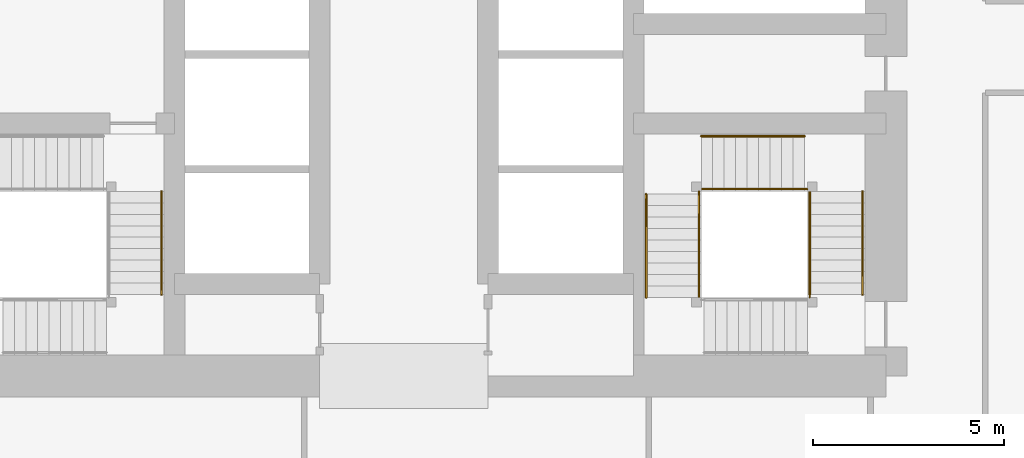
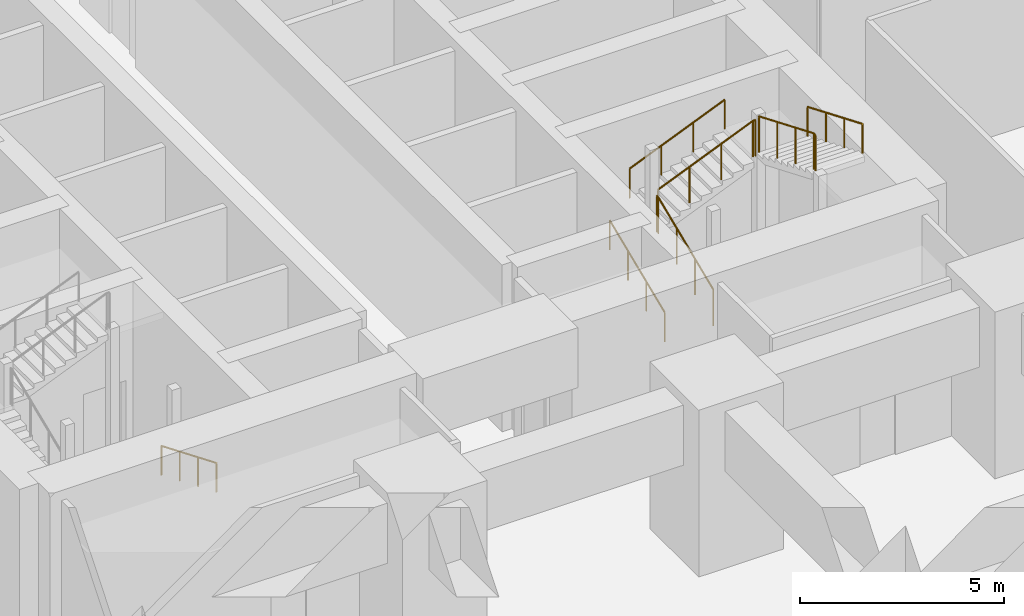
# One storey, part 44 of 49: 10 railings.
"""IFC4 building model written with IfcOpenShell, lengths in metres."""

from ifc_helpers import new_model, si_unit, direction, frame, origin, origin_2d, place, context, subcontext, project, spatial, circle, extrude, material, type_object, element, save


model = new_model("IFC4")

# Units and contexts
model_context = context("Model", 3, precision=1e-05, world=origin(), true_north=direction((0.0, 1.0)))
body_context = subcontext(model_context, "Body", "Model", "MODEL_VIEW")
ifc_project = project(units=[si_unit("LENGTHUNIT", "METRE"), si_unit("AREAUNIT", "SQUARE_METRE"), si_unit("VOLUMEUNIT", "CUBIC_METRE"), si_unit("PLANEANGLEUNIT", "RADIAN"), si_unit("MASSUNIT", "GRAM", prefix="KILO")], contexts=[model_context])

# Site, building, storey
site_placement = place(None, origin())
site = spatial("IfcSite", under=ifc_project, at=site_placement, CompositionType="ELEMENT")
building_placement = place(site_placement, origin())
building = spatial("IfcBuilding", under=site, at=building_placement, Name="Rekha Terrace Tower", CompositionType="ELEMENT")
storey_placement = place(building_placement, frame((0.0, 0.0, 10.39990234375)))
storey = spatial("IfcBuildingStorey", under=building, at=storey_placement, Name="L02", CompositionType="ELEMENT", Elevation=10.39990234375)

# Railings
ifc_material_1 = material(Name="Stainless steel balustrade", Category="steel")
railing_type_1 = type_object("IfcRailingType", Name="GR1 1100 stair guard", PredefinedType="GUARDRAIL", material=ifc_material_1)
railing_1_placement = place(storey_placement, frame((45.514892578125, 23.050048828125, 1.375)))
element("IfcRailing", 1, at=railing_1_placement, inside=storey, type_object=railing_type_1, Name="Guard ST3 L02 flight 2", PredefinedType="GUARDRAIL", context=body_context, shape_type="SweptSolid", body=[
    extrude(circle(Radius=0.02392578125, at=origin_2d()), frame((0.0, 0.0, 1.076171875), z_axis=(0.0, 0.923074453586, 0.384621311341), x_axis=(-1.0, 0.0, 0.0)), (0.0, 0.0, 1.0), 2.925048828125),
    extrude(circle(Radius=0.02099609375, at=origin_2d()), origin(), (0.0, 0.0, 1.0), 1.052001953125),
    extrude(circle(Radius=0.02099609375, at=origin_2d()), frame((0.0, 0.89990234375, 0.375)), (0.0, 0.0, 1.0), 1.052001953125),
    extrude(circle(Radius=0.02099609375, at=origin_2d()), frame((0.0, 1.800048828125, 0.75)), (0.0, 0.0, 1.0), 1.052001953125),
    extrude(circle(Radius=0.02099609375, at=origin_2d()), frame((0.0, 2.699951171875, 1.125)), (0.0, 0.0, 1.0), 1.052001953125),
])
railing_2_placement = place(storey_placement, frame((45.574951171875, 25.885009765625, 2.625)))
element("IfcRailing", 2, at=railing_2_placement, inside=storey, type_object=railing_type_1, Name="Guard ST3 L02 flight 3", PredefinedType="GUARDRAIL", context=body_context, shape_type="SweptSolid", body=[
    extrude(circle(Radius=0.02392578125, at=origin_2d()), frame((0.0, 0.0, 1.076171875), z_axis=(0.923074453586, 0.0, 0.384621311341), x_axis=(0.0, 1.0, 0.0)), (0.0, 0.0, 1.0), 2.925048828125),
    extrude(circle(Radius=0.02099609375, at=origin_2d()), origin(), (0.0, 0.0, 1.0), 1.052001953125),
    extrude(circle(Radius=0.02099609375, at=origin_2d()), frame((0.89990234375, 0.0, 0.375)), (0.0, 0.0, 1.0), 1.052001953125),
    extrude(circle(Radius=0.02099609375, at=origin_2d()), frame((1.800048828125, 0.0, 0.75)), (0.0, 0.0, 1.0), 1.052001953125),
    extrude(circle(Radius=0.02099609375, at=origin_2d()), frame((2.699951171875, 0.0, 1.125)), (0.0, 0.0, 1.0), 1.052001953125),
])
railing_3_placement = place(storey_placement, frame((48.409912109375, 25.824951171875, 3.875)))
element("IfcRailing", 3, at=railing_3_placement, inside=storey, type_object=railing_type_1, Name="Guard ST3 L02 flight 4", PredefinedType="GUARDRAIL", context=body_context, shape_type="SweptSolid", body=[
    extrude(circle(Radius=0.02392578125, at=origin_2d()), frame((0.0, 0.0, 1.076171875), z_axis=(0.0, -0.923074453586, 0.384621311341), x_axis=(1.0, 0.0, 0.0)), (0.0, 0.0, 1.0), 2.925048828125),
    extrude(circle(Radius=0.02099609375, at=origin_2d()), origin(), (0.0, 0.0, 1.0), 1.052001953125),
    extrude(circle(Radius=0.02099609375, at=origin_2d()), frame((0.0, -0.89990234375, 0.375)), (0.0, 0.0, 1.0), 1.052001953125),
    extrude(circle(Radius=0.02099609375, at=origin_2d()), frame((0.0, -1.800048828125, 0.75)), (0.0, 0.0, 1.0), 1.052001953125),
    extrude(circle(Radius=0.02099609375, at=origin_2d()), frame((0.0, -2.699951171875, 1.125)), (0.0, 0.0, 1.0), 1.052001953125),
])
railing_4_placement = place(storey_placement, frame((45.514892578125, 25.75, 2.5)))
element("IfcRailing", 4, at=railing_4_placement, inside=storey, type_object=railing_type_1, Name="Guard ST3 L02 landing 2", PredefinedType="GUARDRAIL", context=body_context, shape_type="SweptSolid", body=[
    extrude(circle(Radius=0.02392578125, at=origin_2d()), frame((0.0, 0.0, 1.076171875), z_axis=(0.0, 1.0, 0.0), x_axis=(-1.0, 0.0, 0.0)), (0.0, 0.0, 1.0), 0.074951171875),
    extrude(circle(Radius=0.02099609375, at=origin_2d()), origin(), (0.0, 0.0, 1.0), 1.052001953125),
    extrude(circle(Radius=0.02099609375, at=origin_2d()), frame((0.0, 0.074951171875, 0.0)), (0.0, 0.0, 1.0), 1.052001953125),
])
railing_5_placement = place(storey_placement, frame((48.35009765625, 25.885009765625, 3.75)))
element("IfcRailing", 5, at=railing_5_placement, inside=storey, type_object=railing_type_1, Name="Guard ST3 L02 landing 3", PredefinedType="GUARDRAIL", context=body_context, shape_type="SweptSolid", body=[
    extrude(circle(Radius=0.02392578125, at=origin_2d()), frame((0.0, 0.0, 1.076171875), z_axis=(-1.0, 0.0, 0.0), x_axis=(0.0, -1.0, 0.0)), (0.0, 0.0, 1.0), 0.0751953125),
    extrude(circle(Radius=0.02099609375, at=origin_2d()), origin(), (0.0, 0.0, 1.0), 1.052001953125),
    extrude(circle(Radius=0.02099609375, at=origin_2d()), frame((-0.0751953125, 0.0, 0.0)), (0.0, 0.0, 1.0), 1.052001953125),
])
railing_6_placement = place(storey_placement, frame((48.409912109375, 23.050048828125, 5.0)))
element("IfcRailing", 6, at=railing_6_placement, inside=storey, type_object=railing_type_1, Name="Guard ST3 L02 landing 4", PredefinedType="GUARDRAIL", context=body_context, shape_type="SweptSolid", body=[
    extrude(circle(Radius=0.02392578125, at=origin_2d()), frame((0.0, 0.0, 1.076171875), z_axis=(0.0, 1.0, 0.0), x_axis=(-1.0, 0.0, 0.0)), (0.0, 0.0, 1.0), 0.074951171875),
    extrude(circle(Radius=0.02099609375, at=origin_2d()), origin(), (0.0, 0.0, 1.0), 1.052001953125),
    extrude(circle(Radius=0.02099609375, at=origin_2d()), frame((0.0, 0.074951171875, 0.0)), (0.0, 0.0, 1.0), 1.052001953125),
])
ifc_material_2 = material(Name="Stainless steel tube", Category="steel")
railing_type_2 = type_object("IfcRailingType", Name="HR1 900 stair handrail", PredefinedType="HANDRAIL", material=ifc_material_2)
railing_7_placement = place(storey_placement, frame((31.465087890625, 25.824951171875, 0.125)))
element("IfcRailing", 7, at=railing_7_placement, inside=storey, type_object=railing_type_2, Name="Handrail ST1 L02 flight 1", PredefinedType="HANDRAIL", context=body_context, shape_type="SweptSolid", body=[
    extrude(circle(Radius=0.02392578125, at=origin_2d()), frame((0.0, 0.0, 0.8759765625), z_axis=(0.0, -0.923074453586, 0.384621311341), x_axis=(1.0, 0.0, 0.0)), (0.0, 0.0, 1.0), 2.925048828125),
    extrude(circle(Radius=0.02099609375, at=origin_2d()), origin(), (0.0, 0.0, 1.0), 0.851806640625),
    extrude(circle(Radius=0.02099609375, at=origin_2d()), frame((0.0, -0.89990234375, 0.375)), (0.0, 0.0, 1.0), 0.851806640625),
    extrude(circle(Radius=0.02099609375, at=origin_2d()), frame((0.0, -1.800048828125, 0.75)), (0.0, 0.0, 1.0), 0.851806640625),
    extrude(circle(Radius=0.02099609375, at=origin_2d()), frame((0.0, -2.699951171875, 1.125)), (0.0, 0.0, 1.0), 0.851806640625),
])
railing_8_placement = place(storey_placement, frame((44.135009765625, 23.050048828125, 1.375)))
element("IfcRailing", 8, at=railing_8_placement, inside=storey, type_object=railing_type_2, Name="Handrail ST3 L02 flight 2", PredefinedType="HANDRAIL", context=body_context, shape_type="SweptSolid", body=[
    extrude(circle(Radius=0.02392578125, at=origin_2d()), frame((0.0, 0.0, 0.8759765625), z_axis=(0.0, 0.923074453586, 0.384621311341), x_axis=(-1.0, 0.0, 0.0)), (0.0, 0.0, 1.0), 2.925048828125),
    extrude(circle(Radius=0.02099609375, at=origin_2d()), origin(), (0.0, 0.0, 1.0), 0.851806640625),
    extrude(circle(Radius=0.02099609375, at=origin_2d()), frame((0.0, 0.89990234375, 0.375)), (0.0, 0.0, 1.0), 0.851806640625),
    extrude(circle(Radius=0.02099609375, at=origin_2d()), frame((0.0, 1.800048828125, 0.75)), (0.0, 0.0, 1.0), 0.851806640625),
    extrude(circle(Radius=0.02099609375, at=origin_2d()), frame((0.0, 2.699951171875, 1.125)), (0.0, 0.0, 1.0), 0.851806640625),
])
railing_9_placement = place(storey_placement, frame((45.574951171875, 27.264892578125, 2.625)))
element("IfcRailing", 9, at=railing_9_placement, inside=storey, type_object=railing_type_2, Name="Handrail ST3 L02 flight 3", PredefinedType="HANDRAIL", context=body_context, shape_type="SweptSolid", body=[
    extrude(circle(Radius=0.02392578125, at=origin_2d()), frame((0.0, 0.0, 0.8759765625), z_axis=(0.923074453586, 0.0, 0.384621311341), x_axis=(0.0, 1.0, 0.0)), (0.0, 0.0, 1.0), 2.925048828125),
    extrude(circle(Radius=0.02099609375, at=origin_2d()), origin(), (0.0, 0.0, 1.0), 0.851806640625),
    extrude(circle(Radius=0.02099609375, at=origin_2d()), frame((0.89990234375, 0.0, 0.375)), (0.0, 0.0, 1.0), 0.851806640625),
    extrude(circle(Radius=0.02099609375, at=origin_2d()), frame((1.800048828125, 0.0, 0.75)), (0.0, 0.0, 1.0), 0.851806640625),
    extrude(circle(Radius=0.02099609375, at=origin_2d()), frame((2.699951171875, 0.0, 1.125)), (0.0, 0.0, 1.0), 0.851806640625),
])
railing_10_placement = place(storey_placement, frame((49.7900390625, 25.824951171875, 3.875)))
element("IfcRailing", 10, at=railing_10_placement, inside=storey, type_object=railing_type_2, Name="Handrail ST3 L02 flight 4", PredefinedType="HANDRAIL", context=body_context, shape_type="SweptSolid", body=[
    extrude(circle(Radius=0.02392578125, at=origin_2d()), frame((0.0, 0.0, 0.8759765625), z_axis=(0.0, -0.923074453586, 0.384621311341), x_axis=(1.0, 0.0, 0.0)), (0.0, 0.0, 1.0), 2.925048828125),
    extrude(circle(Radius=0.02099609375, at=origin_2d()), origin(), (0.0, 0.0, 1.0), 0.851806640625),
    extrude(circle(Radius=0.02099609375, at=origin_2d()), frame((0.0, -0.89990234375, 0.375)), (0.0, 0.0, 1.0), 0.851806640625),
    extrude(circle(Radius=0.02099609375, at=origin_2d()), frame((0.0, -1.800048828125, 0.75)), (0.0, 0.0, 1.0), 0.851806640625),
    extrude(circle(Radius=0.02099609375, at=origin_2d()), frame((0.0, -2.699951171875, 1.125)), (0.0, 0.0, 1.0), 0.851806640625),
])

save(model, "model.ifc")
